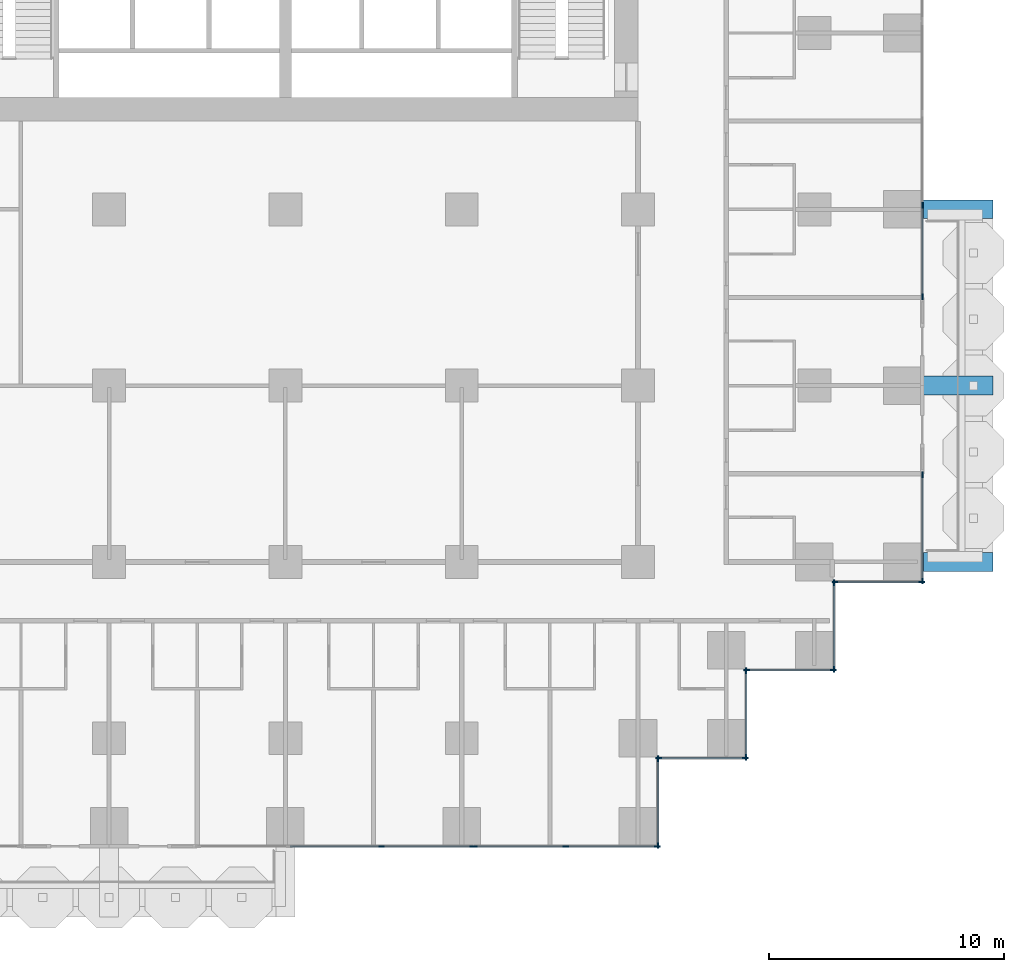
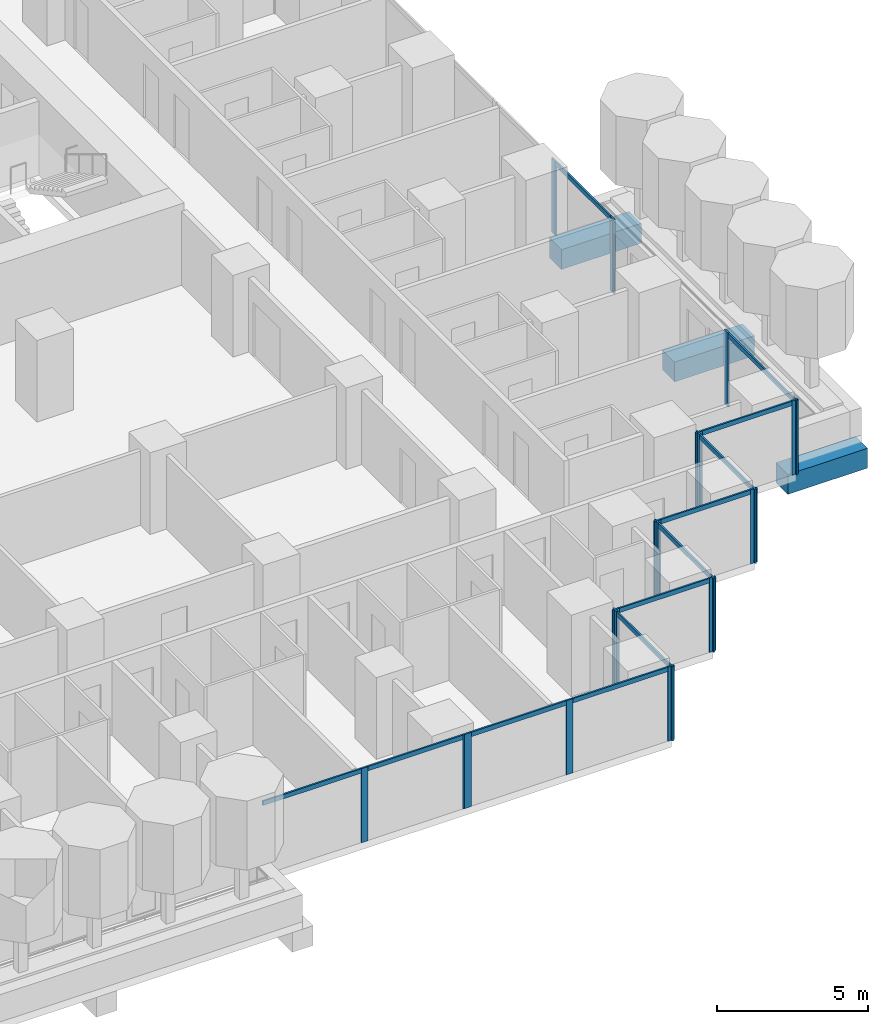
# One storey, part 3 of 18: 33 members, 3 beams, 10 elements without a shape of their own.
"""IFC4 building model written with IfcOpenShell, lengths in metres."""

import ifcopenshell
import ifcopenshell.guid

model = None  # the IFC model being written
_history = None  # IfcOwnerHistory: only IFC2X3 demands one
_inside = {}  # id of a spatial element -> (the spatial element, [elements in it])
_under = {}  # id of a project, library or spatial element -> (it, [spatial elements below it])
_declared = {}  # id of a project -> (the project, [libraries it declares])
_typed = {}  # id of a type object -> (the type object, [elements of that type])
_made_of = {}  # id of a material, layer set ... -> (it, [elements and type objects made of it])


def new_model(schema):
    """Start an empty IFC model of exactly this schema.

    Asked for "IFC4X3", IfcOpenShell would pick the latest addendum, in which some entities
    have other attributes; the version numbers below select the first issue.
    IFC2X3 requires an IfcOwnerHistory on every rooted entity: one is made here for all.
    """
    global model, _history
    if schema == "IFC4X3":
        model = ifcopenshell.file(schema_version=(4, 3, 0, 0))
    else:
        model = ifcopenshell.file(schema=schema)
    _inside.clear()
    _under.clear()
    _declared.clear()
    _typed.clear()
    _made_of.clear()
    _history = None
    if model.schema == "IFC2X3":
        org = make("IfcOrganization", Name="unknown")
        user = make(
            "IfcPersonAndOrganization",
            ThePerson=make("IfcPerson", FamilyName="unknown"),
            TheOrganization=org,
        )
        app = make(
            "IfcApplication",
            ApplicationDeveloper=org,
            Version="unknown",
            ApplicationFullName="unknown",
            ApplicationIdentifier="unknown",
        )
        _history = make(
            "IfcOwnerHistory",
            OwningUser=user,
            OwningApplication=app,
            ChangeAction="ADDED",
            CreationDate=0,
        )
    return model


def make(cls, **values):
    """One entity of the class cls with the attributes given. An attribute that is None is left unset."""
    return model.create_entity(
        cls, **{name: value for name, value in values.items() if value is not None}
    )


def rooted(cls, **values):
    """An entity with a GlobalId (a new one), such as an element, a storey or a relation."""
    return make(cls, GlobalId=ifcopenshell.guid.new(), OwnerHistory=_history, **values)


def si_unit(unit_type, name, prefix=None):
    """IfcSIUnit, for example si_unit("LENGTHUNIT", "METRE", prefix="MILLI")."""
    return make("IfcSIUnit", UnitType=unit_type, Prefix=prefix, Name=name)


def assignment(units):
    """IfcUnitAssignment: the units of a project."""
    return None if units is None else make("IfcUnitAssignment", Units=units)


def point(xyz):
    """IfcCartesianPoint."""
    return None if xyz is None else make("IfcCartesianPoint", Coordinates=xyz)


def direction(xyz):
    """IfcDirection."""
    return None if xyz is None else make("IfcDirection", DirectionRatios=xyz)


def frame(location, z_axis=None, x_axis=None):
    """IfcAxis2Placement3D, a coordinate frame: its origin and axes. An axis left out is left unset."""
    return make(
        "IfcAxis2Placement3D",
        Location=point(location),
        Axis=direction(z_axis),
        RefDirection=direction(x_axis),
    )


def frame_2d(location, x_axis=None):
    """IfcAxis2Placement2D, a coordinate frame in the plane: its origin and x axis."""
    return make(
        "IfcAxis2Placement2D", Location=point(location), RefDirection=direction(x_axis)
    )


def origin():
    """The frame at (0, 0, 0) with its axes left unset."""
    return frame((0.0, 0.0, 0.0))


def origin_2d():
    """The frame at (0, 0) in the plane with its x axis left unset."""
    return frame_2d((0.0, 0.0))


def place(relative_to, where):
    """IfcLocalPlacement: puts the frame where relative to a parent placement (None: the world)."""
    return make(
        "IfcLocalPlacement", PlacementRelTo=relative_to, RelativePlacement=where
    )


def context(
    kind, dimensions, precision=None, world=None, true_north=None, identifier=None
):
    """IfcGeometricRepresentationContext, for example the 3D "Model" context."""
    return make(
        "IfcGeometricRepresentationContext",
        ContextIdentifier=identifier,
        ContextType=kind,
        CoordinateSpaceDimension=dimensions,
        Precision=precision,
        WorldCoordinateSystem=world,
        TrueNorth=true_north,
    )


def subcontext(parent, identifier, kind, view, scale=None):
    """IfcGeometricRepresentationSubContext, for example "Body" below "Model"."""
    return make(
        "IfcGeometricRepresentationSubContext",
        ContextIdentifier=identifier,
        ContextType=kind,
        ParentContext=parent,
        TargetScale=scale,
        TargetView=view,
    )


def project(units=None, contexts=None):
    """IfcProject with its units and contexts."""
    return rooted(
        "IfcProject",
        Name="project",
        RepresentationContexts=contexts,
        UnitsInContext=assignment(units),
    )


def spatial(cls, under=None, at=None, **own):
    """A site, building, storey or space (cls), placed at a placement, below another one or the project."""
    s = rooted(cls, ObjectPlacement=at, **own)
    if under is not None:
        _under.setdefault(under.id(), (under, []))[1].append(s)
    return s


def profile(cls, at=None, kind="AREA", **sizes):
    """A parametric profile (cls). Its sizes go by their IFC names, for example OverallWidth=200.0."""
    return make(cls, ProfileType=kind, Position=at, **sizes)


def rectangle(**sizes):
    """IfcRectangleProfileDef."""
    return profile("IfcRectangleProfileDef", **sizes)


def extrude(swept, where, along, depth):
    """IfcExtrudedAreaSolid: the profile swept, set in the frame where, extruded along a direction by depth."""
    return make(
        "IfcExtrudedAreaSolid",
        SweptArea=swept,
        Position=where,
        ExtrudedDirection=direction(along),
        Depth=depth,
    )


def shape(context_of_items, identifier, shape_type, items):
    """IfcShapeRepresentation: the items that make up one representation, for example the "Body"."""
    return make(
        "IfcShapeRepresentation",
        ContextOfItems=context_of_items,
        RepresentationIdentifier=identifier,
        RepresentationType=shape_type,
        Items=items,
    )


def material(Name=None, Category=None):
    """IfcMaterial."""
    return make("IfcMaterial", Name=Name, Category=Category)


def material_profile(
    of_material, cross_section, Name=None, Category=None, Priority=None
):
    """IfcMaterialProfile: a cross section and its material."""
    return make(
        "IfcMaterialProfile",
        Name=Name,
        Material=of_material,
        Profile=cross_section,
        Priority=Priority,
        Category=Category,
    )


def profile_set(profiles, Name=None, composite=None):
    """IfcMaterialProfileSet."""
    return make(
        "IfcMaterialProfileSet",
        Name=Name,
        MaterialProfiles=profiles,
        CompositeProfile=composite,
    )


def made_of(thing, what):
    """Note that an element or type object is made of a material, layer set ...; save() writes the relation."""
    if what is not None:
        _made_of.setdefault(what.id(), (what, []))[1].append(thing)
    return thing


def type_object(cls, material=None, **own):
    """A type object (cls), such as IfcWallType, which elements share."""
    return made_of(rooted(cls, **own), material)


def element(
    cls,
    number,
    at=None,
    inside=None,
    cuts=None,
    type_object=None,
    material=None,
    context=None,
    identifier="Body",
    shape_type=None,
    held_by="IfcProductDefinitionShape",
    body=None,
    shapes=None,
    **own,
):
    """One element of the class cls, such as IfcWall. Its Tag is "e" and its number.

    at: its placement. inside: the storey or other place that contains it. cuts: it is an
    opening in that element (IfcRelVoidsElement). A single representation is given by context,
    identifier, shape_type and body (its items); several are given by shapes. held_by: the class
    of the entity that holds the representations. save() writes the other relations.
    """
    e = rooted(cls, Tag="e%d" % number, ObjectPlacement=at, **own)
    if body is not None:
        shapes = [shape(context, identifier, shape_type, body)]
    if shapes is not None:
        e.Representation = make(held_by, Representations=shapes)
    if inside is not None:
        _inside.setdefault(inside.id(), (inside, []))[1].append(e)
    if cuts is not None:
        rooted(
            "IfcRelVoidsElement", RelatingBuildingElement=cuts, RelatedOpeningElement=e
        )
    if type_object is not None:
        _typed.setdefault(type_object.id(), (type_object, []))[1].append(e)
    return made_of(e, material)


def aggregate(whole, parts):
    """IfcRelAggregates: a whole, such as a stair, and the parts it consists of."""
    return rooted("IfcRelAggregates", RelatingObject=whole, RelatedObjects=parts)


def save(model, path):
    """Write the relations noted so far, then the file.

    IfcRelAggregates (storeys below a building ...), IfcRelContainedInSpatialStructure (elements
    in a storey), IfcRelDefinesByType, IfcRelAssociatesMaterial and IfcRelDeclares: one each for
    every whole, place, type object, material and project.
    """
    for whole, parts in _under.values():
        aggregate(whole, parts)
    for where, things in _inside.values():
        rooted(
            "IfcRelContainedInSpatialStructure",
            RelatedElements=things,
            RelatingStructure=where,
        )
    for kind, things in _typed.values():
        rooted("IfcRelDefinesByType", RelatedObjects=things, RelatingType=kind)
    for what, things in _made_of.values():
        rooted("IfcRelAssociatesMaterial", RelatedObjects=things, RelatingMaterial=what)
    for by, libraries in _declared.values():
        rooted("IfcRelDeclares", RelatingContext=by, RelatedDefinitions=libraries)
    model.write(path)


model = new_model("IFC4")

# Units and contexts
model_context = context("Model", 3, precision=1e-05, world=origin(), true_north=direction((0.0, 1.0)))
body_context = subcontext(model_context, "Body", "Model", "MODEL_VIEW")
ifc_project = project(units=[si_unit("LENGTHUNIT", "METRE"), si_unit("AREAUNIT", "SQUARE_METRE"), si_unit("VOLUMEUNIT", "CUBIC_METRE"), si_unit("PLANEANGLEUNIT", "RADIAN"), si_unit("MASSUNIT", "GRAM", prefix="KILO")], contexts=[model_context])

# Site, building, storey
site_placement = place(None, origin())
site = spatial("IfcSite", under=ifc_project, at=site_placement, CompositionType="ELEMENT")
building_placement = place(site_placement, origin())
building = spatial("IfcBuilding", under=site, at=building_placement, Name="Pilkhan Gate Tower", CompositionType="ELEMENT")
storey_placement = place(building_placement, frame((0.0, 0.0, 42.800048828125)))
storey = spatial("IfcBuildingStorey", under=building, at=storey_placement, Name="L07", CompositionType="ELEMENT", Elevation=42.800048828125)

# Beams
ifc_material_1 = material(Name="Concrete C50/60", Category="concrete")
ifc_material_profile_1 = material_profile(ifc_material_1, rectangle(XDim=0.800048828125, YDim=0.800048828125, at=origin_2d()), Name="RC 800x800")
ifc_profile_set_1 = profile_set([ifc_material_profile_1], Name="Concrete C50/60")
beam_type = type_object("IfcBeamType", Name="Cantilever beam CB2 RC 800x800 C50/60", PredefinedType="BEAM", material=ifc_profile_set_1)
for number, where, z_axis, x_axis, name in (
    (1, (102.050048828125, 52.5, -0.699951171875), (1.0, 0.0, 0.0), (0.0, 1.0, 0.0), "Balcony beam E.1 L07"),
    (2, (102.050048828125, 60.0, -0.699951171875), (1.0, 0.0, 0.0), (0.0, 1.0, 0.0), "Balcony beam E.2 L07"),
    (3, (102.050048828125, 67.5, -0.699951171875), (1.0, 0.0, 0.0), (0.0, 1.0, 0.0), "Balcony beam E.3 L07"),
):
    element("IfcBeam", number, at=place(storey_placement, frame(where, z_axis=z_axis, x_axis=x_axis)), inside=storey, type_object=beam_type, Name=name, PredefinedType="BEAM", context=body_context, shape_type="SweptSolid", body=[
        extrude(rectangle(XDim=0.800048828125, YDim=0.800048828125, at=origin_2d()), origin(), (0.0, 0.0, 1.0), 3.050048828125),
    ])

# Curtain wall, members
ifc_material_2 = material(Name="Pale anodised aluminium, clear low-iron double glazing", Category="aluminium")
curtain_wall_type = type_object("IfcCurtainWallType", Name="Hotel unitised curtain wall CW-H", PredefinedType="USERDEFINED", material=ifc_material_2)
curtain_wall_1_placement = place(storey_placement, origin())
curtain_wall_1 = element("IfcCurtainWall", 4, at=curtain_wall_1_placement, inside=storey, type_object=curtain_wall_type, Name="Hotel unitised curtain wall CW-H L07 E", ObjectType="UNITISED CURTAIN WALL", PredefinedType="USERDEFINED")
ifc_material_3 = material(Name="Pale anodised aluminium", Category="aluminium")
ifc_material_profile_2 = material_profile(ifc_material_3, rectangle(XDim=0.06494140625, YDim=0.25, at=origin_2d()), Name="Mullion 250x65")
ifc_profile_set_2 = profile_set([ifc_material_profile_2], Name="Pale anodised aluminium")
member_type_1 = type_object("IfcMemberType", Name="Mullion CW-H 250x65", PredefinedType="MULLION", material=ifc_profile_set_2)
member_1_placement = place(storey_placement, frame((102.094970703125, 51.6875, 0.0), z_axis=(0.0, 0.0, 1.0), x_axis=(-1.0, 0.0, 0.0)))
member_1 = element("IfcMember", 5, at=member_1_placement, type_object=member_type_1, Name="CW-H mullion 1", PredefinedType="MULLION", context=body_context, shape_type="SweptSolid", body=[
    extrude(rectangle(XDim=0.06494140625, YDim=0.25, at=origin_2d()), origin(), (0.0, 0.0, 1.0), 3.0),
])
member_2_placement = place(storey_placement, frame((102.094970703125, 56.217529296875, 0.0), z_axis=(0.0, 0.0, 1.0), x_axis=(-1.0, 0.0, 0.0)))
member_2 = element("IfcMember", 6, at=member_2_placement, type_object=member_type_1, Name="CW-H mullion 2", PredefinedType="MULLION", context=body_context, shape_type="SweptSolid", body=[
    extrude(rectangle(XDim=0.06494140625, YDim=0.25, at=origin_2d()), origin(), (0.0, 0.0, 1.0), 3.0),
])

curtain_wall_2_placement = place(storey_placement, origin())
curtain_wall_2 = element("IfcCurtainWall", 7, at=curtain_wall_2_placement, inside=storey, type_object=curtain_wall_type, Name="Hotel unitised curtain wall CW-H L07 E", ObjectType="UNITISED CURTAIN WALL", PredefinedType="USERDEFINED")
member_3_placement = place(storey_placement, frame((102.094970703125, 63.782470703125, 0.0), z_axis=(0.0, 0.0, 1.0), x_axis=(-1.0, 0.0, 0.0)))
member_3 = element("IfcMember", 8, at=member_3_placement, type_object=member_type_1, Name="CW-H mullion 1", PredefinedType="MULLION", context=body_context, shape_type="SweptSolid", body=[
    extrude(rectangle(XDim=0.06494140625, YDim=0.25, at=origin_2d()), origin(), (0.0, 0.0, 1.0), 3.0),
])
member_4_placement = place(storey_placement, frame((102.094970703125, 67.6689453125, 0.0), z_axis=(0.0, 0.0, 1.0), x_axis=(-1.0, 0.0, 0.0)))
member_4 = element("IfcMember", 9, at=member_4_placement, type_object=member_type_1, Name="CW-H mullion 2", PredefinedType="MULLION", context=body_context, shape_type="SweptSolid", body=[
    extrude(rectangle(XDim=0.06494140625, YDim=0.25, at=origin_2d()), origin(), (0.0, 0.0, 1.0), 3.0),
])

curtain_wall_3_placement = place(storey_placement, origin())
curtain_wall_3 = element("IfcCurtainWall", 10, at=curtain_wall_3_placement, inside=storey, type_object=curtain_wall_type, Name="Hotel unitised curtain wall CW-H L07 S", ObjectType="UNITISED CURTAIN WALL", PredefinedType="USERDEFINED")
member_5_placement = place(storey_placement, frame((79.087890625, 40.405029296875, 0.0), z_axis=(0.0, 0.0, 1.0), x_axis=(0.0, 1.0, 0.0)))
member_5 = element("IfcMember", 11, at=member_5_placement, type_object=member_type_1, Name="CW-H mullion 3", PredefinedType="MULLION", context=body_context, shape_type="SweptSolid", body=[
    extrude(rectangle(XDim=0.06494140625, YDim=0.25, at=origin_2d()), origin(), (0.0, 0.0, 1.0), 3.0),
])
member_6_placement = place(storey_placement, frame((82.974609375, 40.405029296875, 0.0), z_axis=(0.0, 0.0, 1.0), x_axis=(0.0, 1.0, 0.0)))
member_6 = element("IfcMember", 12, at=member_6_placement, type_object=member_type_1, Name="CW-H mullion 4", PredefinedType="MULLION", context=body_context, shape_type="SweptSolid", body=[
    extrude(rectangle(XDim=0.06494140625, YDim=0.25, at=origin_2d()), origin(), (0.0, 0.0, 1.0), 3.0),
])

curtain_wall_4_placement = place(storey_placement, origin())
curtain_wall_4 = element("IfcCurtainWall", 13, at=curtain_wall_4_placement, inside=storey, type_object=curtain_wall_type, Name="Hotel unitised curtain wall CW-H L07 S", ObjectType="UNITISED CURTAIN WALL", PredefinedType="USERDEFINED")
member_7_placement = place(storey_placement, frame((83.03955078125, 40.405029296875, 0.0), z_axis=(0.0, 0.0, 1.0), x_axis=(0.0, 1.0, 0.0)))
member_7 = element("IfcMember", 14, at=member_7_placement, type_object=member_type_1, Name="CW-H mullion 1", PredefinedType="MULLION", context=body_context, shape_type="SweptSolid", body=[
    extrude(rectangle(XDim=0.06494140625, YDim=0.25, at=origin_2d()), origin(), (0.0, 0.0, 1.0), 3.0),
])
member_8_placement = place(storey_placement, frame((86.926025390625, 40.405029296875, 0.0), z_axis=(0.0, 0.0, 1.0), x_axis=(0.0, 1.0, 0.0)))
member_8 = element("IfcMember", 15, at=member_8_placement, type_object=member_type_1, Name="CW-H mullion 2", PredefinedType="MULLION", context=body_context, shape_type="SweptSolid", body=[
    extrude(rectangle(XDim=0.06494140625, YDim=0.25, at=origin_2d()), origin(), (0.0, 0.0, 1.0), 3.0),
])
member_9_placement = place(storey_placement, frame((90.8125, 40.405029296875, 0.0), z_axis=(0.0, 0.0, 1.0), x_axis=(0.0, 1.0, 0.0)))
member_9 = element("IfcMember", 16, at=member_9_placement, type_object=member_type_1, Name="CW-H mullion 3", PredefinedType="MULLION", context=body_context, shape_type="SweptSolid", body=[
    extrude(rectangle(XDim=0.06494140625, YDim=0.25, at=origin_2d()), origin(), (0.0, 0.0, 1.0), 3.0),
])

curtain_wall_5_placement = place(storey_placement, origin())
curtain_wall_5 = element("IfcCurtainWall", 17, at=curtain_wall_5_placement, inside=storey, type_object=curtain_wall_type, Name="Hotel unitised curtain wall CW-H L07 E", ObjectType="UNITISED CURTAIN WALL", PredefinedType="USERDEFINED")
member_10_placement = place(storey_placement, frame((90.844970703125, 40.4375, 0.0), z_axis=(0.0, 0.0, 1.0), x_axis=(-1.0, 0.0, 0.0)))
member_10 = element("IfcMember", 18, at=member_10_placement, type_object=member_type_1, Name="CW-H mullion 1", PredefinedType="MULLION", context=body_context, shape_type="SweptSolid", body=[
    extrude(rectangle(XDim=0.06494140625, YDim=0.25, at=origin_2d()), origin(), (0.0, 0.0, 1.0), 3.0),
])
member_11_placement = place(storey_placement, frame((90.844970703125, 44.12255859375, 0.0), z_axis=(0.0, 0.0, 1.0), x_axis=(-1.0, 0.0, 0.0)))
member_11 = element("IfcMember", 19, at=member_11_placement, type_object=member_type_1, Name="CW-H mullion 2", PredefinedType="MULLION", context=body_context, shape_type="SweptSolid", body=[
    extrude(rectangle(XDim=0.06494140625, YDim=0.25, at=origin_2d()), origin(), (0.0, 0.0, 1.0), 3.0),
])

curtain_wall_6_placement = place(storey_placement, origin())
curtain_wall_6 = element("IfcCurtainWall", 20, at=curtain_wall_6_placement, inside=storey, type_object=curtain_wall_type, Name="Hotel unitised curtain wall CW-H L07 S", ObjectType="UNITISED CURTAIN WALL", PredefinedType="USERDEFINED")
member_12_placement = place(storey_placement, frame((90.87744140625, 44.155029296875, 0.0), z_axis=(0.0, 0.0, 1.0), x_axis=(0.0, 1.0, 0.0)))
member_12 = element("IfcMember", 21, at=member_12_placement, type_object=member_type_1, Name="CW-H mullion 1", PredefinedType="MULLION", context=body_context, shape_type="SweptSolid", body=[
    extrude(rectangle(XDim=0.06494140625, YDim=0.25, at=origin_2d()), origin(), (0.0, 0.0, 1.0), 3.0),
])
member_13_placement = place(storey_placement, frame((94.5625, 44.155029296875, 0.0), z_axis=(0.0, 0.0, 1.0), x_axis=(0.0, 1.0, 0.0)))
member_13 = element("IfcMember", 22, at=member_13_placement, type_object=member_type_1, Name="CW-H mullion 2", PredefinedType="MULLION", context=body_context, shape_type="SweptSolid", body=[
    extrude(rectangle(XDim=0.06494140625, YDim=0.25, at=origin_2d()), origin(), (0.0, 0.0, 1.0), 3.0),
])

curtain_wall_7_placement = place(storey_placement, origin())
curtain_wall_7 = element("IfcCurtainWall", 23, at=curtain_wall_7_placement, inside=storey, type_object=curtain_wall_type, Name="Hotel unitised curtain wall CW-H L07 E", ObjectType="UNITISED CURTAIN WALL", PredefinedType="USERDEFINED")
member_14_placement = place(storey_placement, frame((94.594970703125, 44.1875, 0.0), z_axis=(0.0, 0.0, 1.0), x_axis=(-1.0, 0.0, 0.0)))
member_14 = element("IfcMember", 24, at=member_14_placement, type_object=member_type_1, Name="CW-H mullion 1", PredefinedType="MULLION", context=body_context, shape_type="SweptSolid", body=[
    extrude(rectangle(XDim=0.06494140625, YDim=0.25, at=origin_2d()), origin(), (0.0, 0.0, 1.0), 3.0),
])
member_15_placement = place(storey_placement, frame((94.594970703125, 47.87255859375, 0.0), z_axis=(0.0, 0.0, 1.0), x_axis=(-1.0, 0.0, 0.0)))
member_15 = element("IfcMember", 25, at=member_15_placement, type_object=member_type_1, Name="CW-H mullion 2", PredefinedType="MULLION", context=body_context, shape_type="SweptSolid", body=[
    extrude(rectangle(XDim=0.06494140625, YDim=0.25, at=origin_2d()), origin(), (0.0, 0.0, 1.0), 3.0),
])

curtain_wall_8_placement = place(storey_placement, origin())
curtain_wall_8 = element("IfcCurtainWall", 26, at=curtain_wall_8_placement, inside=storey, type_object=curtain_wall_type, Name="Hotel unitised curtain wall CW-H L07 S", ObjectType="UNITISED CURTAIN WALL", PredefinedType="USERDEFINED")
member_16_placement = place(storey_placement, frame((94.62744140625, 47.905029296875, 0.0), z_axis=(0.0, 0.0, 1.0), x_axis=(0.0, 1.0, 0.0)))
member_16 = element("IfcMember", 27, at=member_16_placement, type_object=member_type_1, Name="CW-H mullion 1", PredefinedType="MULLION", context=body_context, shape_type="SweptSolid", body=[
    extrude(rectangle(XDim=0.06494140625, YDim=0.25, at=origin_2d()), origin(), (0.0, 0.0, 1.0), 3.0),
])
member_17_placement = place(storey_placement, frame((98.3125, 47.905029296875, 0.0), z_axis=(0.0, 0.0, 1.0), x_axis=(0.0, 1.0, 0.0)))
member_17 = element("IfcMember", 28, at=member_17_placement, type_object=member_type_1, Name="CW-H mullion 2", PredefinedType="MULLION", context=body_context, shape_type="SweptSolid", body=[
    extrude(rectangle(XDim=0.06494140625, YDim=0.25, at=origin_2d()), origin(), (0.0, 0.0, 1.0), 3.0),
])

curtain_wall_9_placement = place(storey_placement, origin())
curtain_wall_9 = element("IfcCurtainWall", 29, at=curtain_wall_9_placement, inside=storey, type_object=curtain_wall_type, Name="Hotel unitised curtain wall CW-H L07 E", ObjectType="UNITISED CURTAIN WALL", PredefinedType="USERDEFINED")
member_18_placement = place(storey_placement, frame((98.344970703125, 47.9375, 0.0), z_axis=(0.0, 0.0, 1.0), x_axis=(-1.0, 0.0, 0.0)))
member_18 = element("IfcMember", 30, at=member_18_placement, type_object=member_type_1, Name="CW-H mullion 1", PredefinedType="MULLION", context=body_context, shape_type="SweptSolid", body=[
    extrude(rectangle(XDim=0.06494140625, YDim=0.25, at=origin_2d()), origin(), (0.0, 0.0, 1.0), 3.0),
])
member_19_placement = place(storey_placement, frame((98.344970703125, 51.62255859375, 0.0), z_axis=(0.0, 0.0, 1.0), x_axis=(-1.0, 0.0, 0.0)))
member_19 = element("IfcMember", 31, at=member_19_placement, type_object=member_type_1, Name="CW-H mullion 2", PredefinedType="MULLION", context=body_context, shape_type="SweptSolid", body=[
    extrude(rectangle(XDim=0.06494140625, YDim=0.25, at=origin_2d()), origin(), (0.0, 0.0, 1.0), 3.0),
])

curtain_wall_10_placement = place(storey_placement, origin())
curtain_wall_10 = element("IfcCurtainWall", 32, at=curtain_wall_10_placement, inside=storey, type_object=curtain_wall_type, Name="Hotel unitised curtain wall CW-H L07 S", ObjectType="UNITISED CURTAIN WALL", PredefinedType="USERDEFINED")
member_20_placement = place(storey_placement, frame((98.37744140625, 51.655029296875, 0.0), z_axis=(0.0, 0.0, 1.0), x_axis=(0.0, 1.0, 0.0)))
member_20 = element("IfcMember", 33, at=member_20_placement, type_object=member_type_1, Name="CW-H mullion 1", PredefinedType="MULLION", context=body_context, shape_type="SweptSolid", body=[
    extrude(rectangle(XDim=0.06494140625, YDim=0.25, at=origin_2d()), origin(), (0.0, 0.0, 1.0), 3.0),
])
member_21_placement = place(storey_placement, frame((102.0625, 51.655029296875, 0.0), z_axis=(0.0, 0.0, 1.0), x_axis=(0.0, 1.0, 0.0)))
member_21 = element("IfcMember", 34, at=member_21_placement, type_object=member_type_1, Name="CW-H mullion 2", PredefinedType="MULLION", context=body_context, shape_type="SweptSolid", body=[
    extrude(rectangle(XDim=0.06494140625, YDim=0.25, at=origin_2d()), origin(), (0.0, 0.0, 1.0), 3.0),
])

# Member
ifc_material_profile_3 = material_profile(ifc_material_3, rectangle(XDim=0.06494140625, YDim=0.179931640625, at=origin_2d()), Name="Transom 180x65")
ifc_profile_set_3 = profile_set([ifc_material_profile_3], Name="Pale anodised aluminium")
member_type_2 = type_object("IfcMemberType", Name="Transom CW-H 180x65", PredefinedType="USERDEFINED", material=ifc_profile_set_3)
member_22_placement = place(storey_placement, frame((102.094970703125, 51.719970703125, 2.909912109375), z_axis=(0.0, 1.0, 0.0), x_axis=(-1.0, 0.0, 0.0)))
member_22 = element("IfcMember", 35, at=member_22_placement, type_object=member_type_2, Name="CW-H transom 1", ObjectType="TRANSOM", PredefinedType="USERDEFINED", context=body_context, shape_type="SweptSolid", body=[
    extrude(rectangle(XDim=0.06494140625, YDim=0.179931640625, at=origin_2d()), origin(), (0.0, 0.0, 1.0), 4.465087890625),
])

aggregate(curtain_wall_1, [member_1, member_2, member_22])

member_23_placement = place(storey_placement, frame((102.094970703125, 63.81494140625, 2.909912109375), z_axis=(0.0, 1.0, 0.0), x_axis=(-1.0, 0.0, 0.0)))
member_23 = element("IfcMember", 36, at=member_23_placement, type_object=member_type_2, Name="CW-H transom 1", ObjectType="TRANSOM", PredefinedType="USERDEFINED", context=body_context, shape_type="SweptSolid", body=[
    extrude(rectangle(XDim=0.06494140625, YDim=0.179931640625, at=origin_2d()), origin(), (0.0, 0.0, 1.0), 3.821533203125),
])

aggregate(curtain_wall_2, [member_3, member_4, member_23])

member_24_placement = place(storey_placement, frame((75.201416015625, 40.405029296875, 2.909912109375), z_axis=(1.0, 0.0, 0.0), x_axis=(0.0, 1.0, 0.0)))
member_24 = element("IfcMember", 37, at=member_24_placement, type_object=member_type_2, Name="CW-H transom 2", ObjectType="TRANSOM", PredefinedType="USERDEFINED", context=body_context, shape_type="SweptSolid", body=[
    extrude(rectangle(XDim=0.06494140625, YDim=0.179931640625, at=origin_2d()), origin(), (0.0, 0.0, 1.0), 3.85400390625),
])

member_25_placement = place(storey_placement, frame((79.12060546875, 40.405029296875, 2.909912109375), z_axis=(1.0, 0.0, 0.0), x_axis=(0.0, 1.0, 0.0)))
member_25 = element("IfcMember", 38, at=member_25_placement, type_object=member_type_2, Name="CW-H transom 3", ObjectType="TRANSOM", PredefinedType="USERDEFINED", context=body_context, shape_type="SweptSolid", body=[
    extrude(rectangle(XDim=0.06494140625, YDim=0.179931640625, at=origin_2d()), origin(), (0.0, 0.0, 1.0), 3.8212890625),
])

aggregate(curtain_wall_3, [member_5, member_6, member_24, member_25])

member_26_placement = place(storey_placement, frame((83.072021484375, 40.405029296875, 2.909912109375), z_axis=(1.0, 0.0, 0.0), x_axis=(0.0, 1.0, 0.0)))
member_26 = element("IfcMember", 39, at=member_26_placement, type_object=member_type_2, Name="CW-H transom 1", ObjectType="TRANSOM", PredefinedType="USERDEFINED", context=body_context, shape_type="SweptSolid", body=[
    extrude(rectangle(XDim=0.06494140625, YDim=0.179931640625, at=origin_2d()), origin(), (0.0, 0.0, 1.0), 3.821533203125),
])

member_27_placement = place(storey_placement, frame((86.95849609375, 40.405029296875, 2.909912109375), z_axis=(1.0, 0.0, 0.0), x_axis=(0.0, 1.0, 0.0)))
member_27 = element("IfcMember", 40, at=member_27_placement, type_object=member_type_2, Name="CW-H transom 2", ObjectType="TRANSOM", PredefinedType="USERDEFINED", context=body_context, shape_type="SweptSolid", body=[
    extrude(rectangle(XDim=0.06494140625, YDim=0.179931640625, at=origin_2d()), origin(), (0.0, 0.0, 1.0), 3.821533203125),
])

aggregate(curtain_wall_4, [member_7, member_8, member_9, member_26, member_27])

member_28_placement = place(storey_placement, frame((90.844970703125, 40.469970703125, 2.909912109375), z_axis=(0.0, 1.0, 0.0), x_axis=(-1.0, 0.0, 0.0)))
member_28 = element("IfcMember", 41, at=member_28_placement, type_object=member_type_2, Name="CW-H transom 1", ObjectType="TRANSOM", PredefinedType="USERDEFINED", context=body_context, shape_type="SweptSolid", body=[
    extrude(rectangle(XDim=0.06494140625, YDim=0.179931640625, at=origin_2d()), origin(), (0.0, 0.0, 1.0), 3.6201171875),
])

aggregate(curtain_wall_5, [member_10, member_11, member_28])

member_29_placement = place(storey_placement, frame((90.909912109375, 44.155029296875, 2.909912109375), z_axis=(1.0, 0.0, 0.0), x_axis=(0.0, 1.0, 0.0)))
member_29 = element("IfcMember", 42, at=member_29_placement, type_object=member_type_2, Name="CW-H transom 1", ObjectType="TRANSOM", PredefinedType="USERDEFINED", context=body_context, shape_type="SweptSolid", body=[
    extrude(rectangle(XDim=0.06494140625, YDim=0.179931640625, at=origin_2d()), origin(), (0.0, 0.0, 1.0), 3.6201171875),
])

aggregate(curtain_wall_6, [member_12, member_13, member_29])

member_30_placement = place(storey_placement, frame((94.594970703125, 44.219970703125, 2.909912109375), z_axis=(0.0, 1.0, 0.0), x_axis=(-1.0, 0.0, 0.0)))
member_30 = element("IfcMember", 43, at=member_30_placement, type_object=member_type_2, Name="CW-H transom 1", ObjectType="TRANSOM", PredefinedType="USERDEFINED", context=body_context, shape_type="SweptSolid", body=[
    extrude(rectangle(XDim=0.06494140625, YDim=0.179931640625, at=origin_2d()), origin(), (0.0, 0.0, 1.0), 3.6201171875),
])

aggregate(curtain_wall_7, [member_14, member_15, member_30])

member_31_placement = place(storey_placement, frame((94.659912109375, 47.905029296875, 2.909912109375), z_axis=(1.0, 0.0, 0.0), x_axis=(0.0, 1.0, 0.0)))
member_31 = element("IfcMember", 44, at=member_31_placement, type_object=member_type_2, Name="CW-H transom 1", ObjectType="TRANSOM", PredefinedType="USERDEFINED", context=body_context, shape_type="SweptSolid", body=[
    extrude(rectangle(XDim=0.06494140625, YDim=0.179931640625, at=origin_2d()), origin(), (0.0, 0.0, 1.0), 3.6201171875),
])

aggregate(curtain_wall_8, [member_16, member_17, member_31])

member_32_placement = place(storey_placement, frame((98.344970703125, 47.969970703125, 2.909912109375), z_axis=(0.0, 1.0, 0.0), x_axis=(-1.0, 0.0, 0.0)))
member_32 = element("IfcMember", 45, at=member_32_placement, type_object=member_type_2, Name="CW-H transom 1", ObjectType="TRANSOM", PredefinedType="USERDEFINED", context=body_context, shape_type="SweptSolid", body=[
    extrude(rectangle(XDim=0.06494140625, YDim=0.179931640625, at=origin_2d()), origin(), (0.0, 0.0, 1.0), 3.6201171875),
])

aggregate(curtain_wall_9, [member_18, member_19, member_32])

member_33_placement = place(storey_placement, frame((98.409912109375, 51.655029296875, 2.909912109375), z_axis=(1.0, 0.0, 0.0), x_axis=(0.0, 1.0, 0.0)))
member_33 = element("IfcMember", 46, at=member_33_placement, type_object=member_type_2, Name="CW-H transom 1", ObjectType="TRANSOM", PredefinedType="USERDEFINED", context=body_context, shape_type="SweptSolid", body=[
    extrude(rectangle(XDim=0.06494140625, YDim=0.179931640625, at=origin_2d()), origin(), (0.0, 0.0, 1.0), 3.6201171875),
])

aggregate(curtain_wall_10, [member_20, member_21, member_33])

save(model, "model.ifc")
